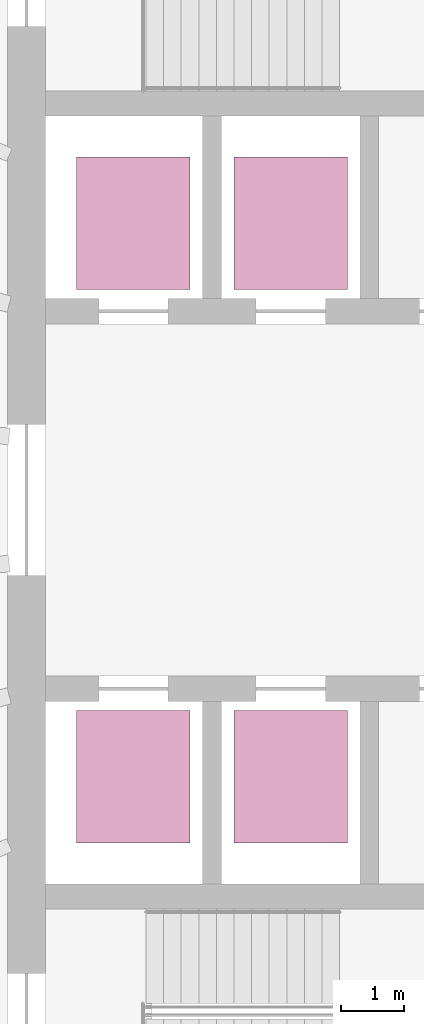
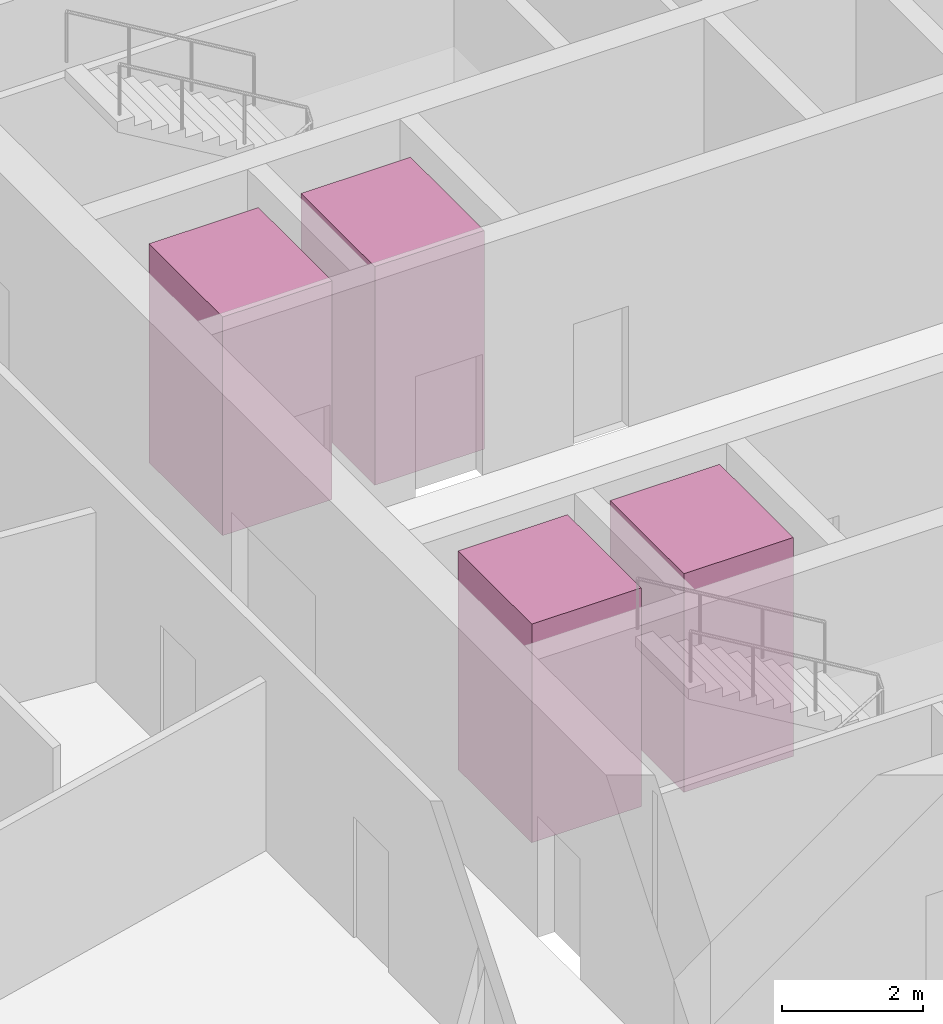
# One storey, part 10 of 10: 4 transport elements.
"""IFC4 building model written with IfcOpenShell, lengths in metres."""

from ifc_helpers import new_model, si_unit, direction, frame, origin, origin_2d, place, context, subcontext, project, spatial, rectangle, extrude, material, type_object, element, save


model = new_model("IFC4")

# Units and contexts
model_context = context("Model", 3, precision=1e-05, world=origin(), true_north=direction((0.0, 1.0)))
body_context = subcontext(model_context, "Body", "Model", "MODEL_VIEW")
ifc_project = project(units=[si_unit("LENGTHUNIT", "METRE"), si_unit("AREAUNIT", "SQUARE_METRE"), si_unit("VOLUMEUNIT", "CUBIC_METRE"), si_unit("PLANEANGLEUNIT", "RADIAN"), si_unit("MASSUNIT", "GRAM", prefix="KILO")], contexts=[model_context])

# Site, building, storey
site_placement = place(None, origin())
site = spatial("IfcSite", under=ifc_project, at=site_placement, CompositionType="ELEMENT")
building_placement = place(site_placement, origin())
building = spatial("IfcBuilding", under=site, at=building_placement, Name="Halqa Exchange Tower", CompositionType="ELEMENT")
storey_placement = place(building_placement, frame((0.0, 0.0, 304.300048828125)))
storey = spatial("IfcBuildingStorey", under=building, at=storey_placement, Name="L71", CompositionType="ELEMENT", Elevation=304.300048828125)

# Transport elements
ifc_material = material(Name="Stainless steel", Category="steel")
transport_element_type = type_object("IfcTransportElementType", Name="High-rise passenger lift 1800 x 2100", PredefinedType="ELEVATOR", material=ifc_material)
for number, where, z_axis, x_axis, name in (
    (1, (-10.0, 4.39990234375, 0.0), (0.0, 0.0, 1.0), (1.0, 0.0, 0.0), "High-rise passenger lift HR1"),
    (2, (-7.5, 4.39990234375, 0.0), (0.0, 0.0, 1.0), (1.0, 0.0, 0.0), "High-rise passenger lift HR2"),
    (3, (-10.0, -4.39990234375, 0.0), (0.0, 0.0, 1.0), (1.0, 0.0, 0.0), "High-rise passenger lift HR3"),
    (4, (-7.5, -4.39990234375, 0.0), (0.0, 0.0, 1.0), (1.0, 0.0, 0.0), "High-rise passenger lift HR4"),
):
    element("IfcTransportElement", number, at=place(storey_placement, frame(where, z_axis=z_axis, x_axis=x_axis)), inside=storey, type_object=transport_element_type, Name=name, PredefinedType="ELEVATOR", context=body_context, shape_type="SweptSolid", body=[
        extrude(rectangle(XDim=1.800048828125, YDim=2.10009765625, at=origin_2d()), origin(), (0.0, 0.0, 1.0), 3.800048828125),
    ])

save(model, "model.ifc")
